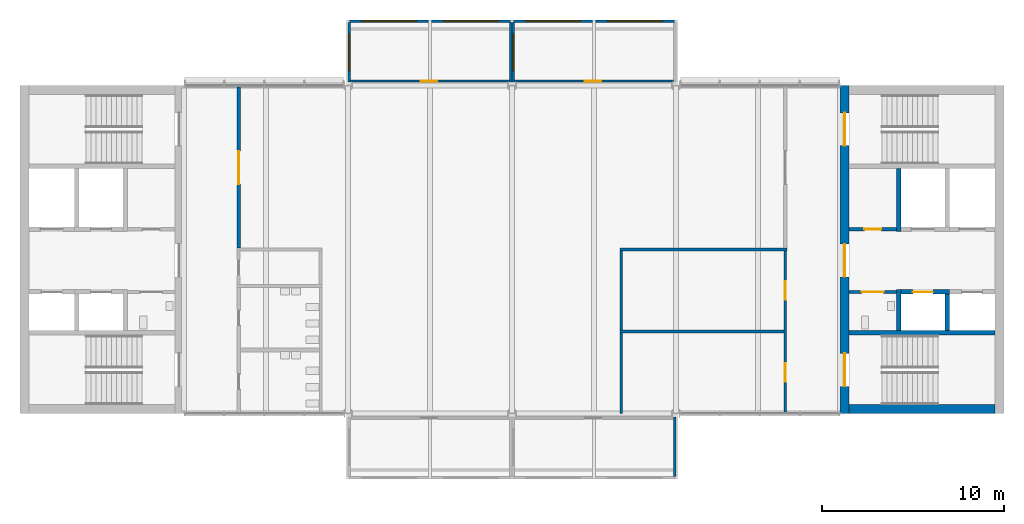
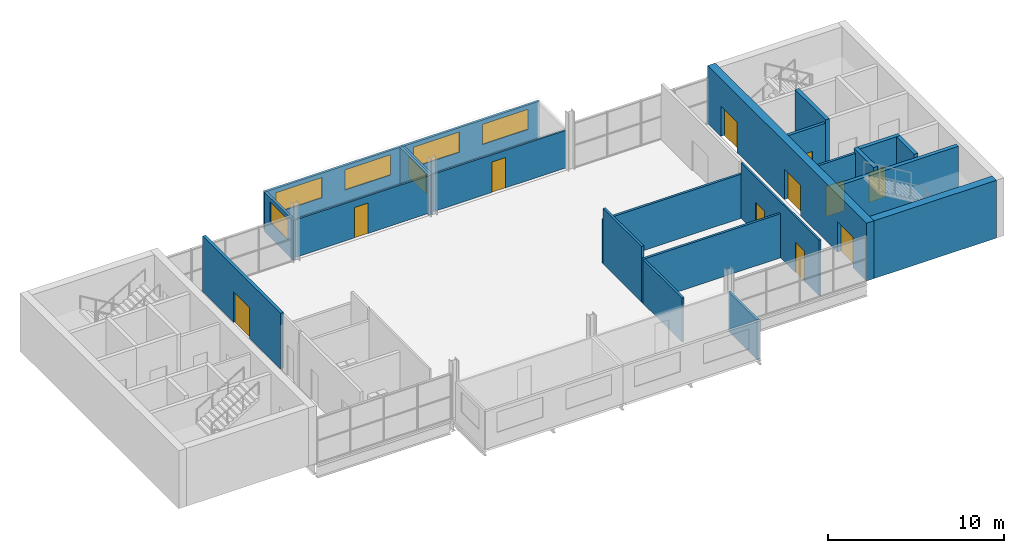
# One storey, part 6 of 10: 23 walls, 11 doors, 6 windows, 17 openings.
"""IFC4 building model written with IfcOpenShell, lengths in metres."""

from ifc_helpers import new_model, si_unit, direction, frame, frame_2d, origin, place, context, subcontext, project, spatial, rectangle, extrude, material, layer, layer_set, type_object, element, fill, save


model = new_model("IFC4")

# Units and contexts
model_context = context("Model", 3, precision=1e-05, world=origin(), true_north=direction((0.0, 1.0)))
body_context = subcontext(model_context, "Body", "Model", "MODEL_VIEW")
ifc_project = project(units=[si_unit("LENGTHUNIT", "METRE"), si_unit("AREAUNIT", "SQUARE_METRE"), si_unit("VOLUMEUNIT", "CUBIC_METRE"), si_unit("PLANEANGLEUNIT", "RADIAN"), si_unit("MASSUNIT", "GRAM", prefix="KILO")], contexts=[model_context])

# Site, building, storey
site_placement = place(None, origin())
site = spatial("IfcSite", under=ifc_project, at=site_placement, CompositionType="ELEMENT")
building_placement = place(site_placement, origin())
building = spatial("IfcBuilding", under=site, at=building_placement, Name="Corbel Yard City Hall", CompositionType="ELEMENT")
storey_placement = place(building_placement, frame((0.0, 0.0, 27.199951171875)))
storey = spatial("IfcBuildingStorey", under=building, at=storey_placement, Name="L06", CompositionType="ELEMENT", Elevation=27.199951171875)

# Walls
ifc_material_1 = material(Name="Concrete N40 (40 MPa)", Category="concrete")
ifc_layer_1 = layer(ifc_material_1, 0.25)
ifc_layer_set_1 = layer_set([ifc_layer_1], Name="Concrete N40 (40 MPa)")
wall_type_1 = type_object("IfcWallType", Name="IW2", PredefinedType="SOLIDWALL", material=ifc_layer_set_1)
wall_1_placement = place(storey_placement, frame((45.5, 103.425048828125, 0.0), z_axis=(0.0, 0.0, 1.0), x_axis=(1.0, 0.0, 0.0)))
element("IfcWall", 1, at=wall_1_placement, inside=storey, type_object=wall_type_1, Name="Stair enclosure wall", PredefinedType="SOLIDWALL", context=body_context, shape_type="SweptSolid", body=[
    extrude(rectangle(XDim=8.0, YDim=0.25, at=frame_2d((4.0, 0.0))), origin(), (0.0, 0.0, 1.0), 3.75),
])
wall_2_placement = place(storey_placement, frame((48.22509765625, 103.550048828125, 0.0), z_axis=(0.0, 0.0, 1.0), x_axis=(0.0, 1.0, 0.0)))
element("IfcWall", 2, at=wall_2_placement, inside=storey, type_object=wall_type_1, Name="Lift LP25 shaft wall", PredefinedType="SOLIDWALL", context=body_context, shape_type="SweptSolid", body=[
    extrude(rectangle(XDim=2.25, YDim=0.25, at=frame_2d((1.125, 0.0))), origin(), (0.0, 0.0, 1.0), 4.0),
])
wall_3_placement = place(storey_placement, frame((50.875, 103.550048828125, 0.0), z_axis=(0.0, 0.0, 1.0), x_axis=(0.0, 1.0, 0.0)))
element("IfcWall", 3, at=wall_3_placement, inside=storey, type_object=wall_type_1, Name="Lift LP25 shaft wall", PredefinedType="SOLIDWALL", context=body_context, shape_type="SweptSolid", body=[
    extrude(rectangle(XDim=2.0, YDim=0.25, at=frame_2d((1.0, 0.0))), origin(), (0.0, 0.0, 1.0), 4.0),
])

# Wall, opening, door
wall_4_placement = place(storey_placement, frame((48.35009765625, 105.675048828125, 0.0), z_axis=(0.0, 0.0, 1.0), x_axis=(1.0, 0.0, 0.0)))
wall_4 = element("IfcWall", 4, at=wall_4_placement, inside=storey, type_object=wall_type_1, Name="Lift LP25 shaft wall", PredefinedType="SOLIDWALL", context=body_context, shape_type="SweptSolid", body=[
    extrude(rectangle(XDim=2.64990234375, YDim=0.25, at=frame_2d((1.324951171875, 0.0))), origin(), (0.0, 0.0, 1.0), 4.0),
])
opening_1_placement = place(wall_4_placement, frame((0.64990234375, 0.0, 0.0)))
opening_1 = element("IfcOpeningElement", 5, at=opening_1_placement, cuts=wall_4, Name="Opening T1-009", PredefinedType="OPENING", context=body_context, shape_type="SweptSolid", body=[
    extrude(rectangle(XDim=1.10009765625, YDim=2.10009765625, at=frame_2d((0.550048828125, 1.050048828125))), frame((0.0, 0.135009765625, 0.0), z_axis=(0.0, -1.0, 0.0), x_axis=(1.0, 0.0, 0.0)), (0.0, 0.0, 1.0), 0.27001953125),
])
ifc_material_2 = material(Name="Stainless steel Grade 316", Category="steel")
door_type_1 = type_object("IfcDoorType", Name="LD1", OperationType="DOUBLE_DOOR_SLIDING", PredefinedType="DOOR", material=ifc_material_2)
door_1_placement = place(opening_1_placement, origin())
door_1 = element("IfcDoor", 6, at=door_1_placement, inside=storey, type_object=door_type_1, Name="Lift LP25 landing door", OperationType="DOUBLE_DOOR_SLIDING", OverallHeight=2.10009765625, OverallWidth=1.10009765625, PredefinedType="DOOR", context=body_context, shape_type="SweptSolid", body=[
    extrude(rectangle(XDim=1.10009765625, YDim=2.10009765625, at=frame_2d((0.550048828125, 1.050048828125))), frame((0.0, 0.02490234375, 0.0), z_axis=(0.0, -1.0, 0.0), x_axis=(1.0, 0.0, 0.0)), (0.0, 0.0, 1.0), 0.050048828125),
])
fill(opening_1, door_1)

# Wall
wall_5_placement = place(storey_placement, frame((48.22509765625, 109.0, 0.0), z_axis=(0.0, 0.0, 1.0), x_axis=(0.0, 1.0, 0.0)))
element("IfcWall", 7, at=wall_5_placement, inside=storey, type_object=wall_type_1, Name="Lift LF2 shaft wall", PredefinedType="SOLIDWALL", context=body_context, shape_type="SweptSolid", body=[
    extrude(rectangle(XDim=3.449951171875, YDim=0.25, at=frame_2d((1.72509765625, 0.0))), origin(), (0.0, 0.0, 1.0), 4.0),
])

# Wall, openings, windows
ifc_material_3 = material(Name="Anodised aluminium", Category="aluminium")
ifc_layer_2 = layer(ifc_material_3, 0.02392578125)
ifc_material_4 = material(Name="Steel Grade G550 (550 MPa yield)", Category="steel")
ifc_layer_3 = layer(ifc_material_4, 0.10009765625)
ifc_material_5 = material(Name="Gypsum plasterboard", Category="gypsum")
ifc_layer_4 = layer(ifc_material_5, 0.02587890625)
ifc_layer_set_2 = layer_set([ifc_layer_2, ifc_layer_3, ifc_layer_4], Name="Steel Grade G550 (550 MPa yield)")
wall_type_2 = type_object("IfcWallType", Name="PD1", PredefinedType="SOLIDWALL", material=ifc_layer_set_2)
wall_6_placement = place(storey_placement, frame((18.0, 120.52490234375, 0.0), z_axis=(0.0, 0.0, 1.0), x_axis=(1.0, 0.0, 0.0)))
wall_6 = element("IfcWall", 8, at=wall_6_placement, inside=storey, type_object=wall_type_2, Name="Pod outer wall L06", PredefinedType="SOLIDWALL", context=body_context, shape_type="SweptSolid", body=[
    extrude(rectangle(XDim=9.0, YDim=0.14990234375, at=frame_2d((4.5, 0.0))), origin(), (0.0, 0.0, 1.0), 2.60009765625),
])
opening_2_placement = place(wall_6_placement, frame((0.75, 0.0, 0.89990234375)))
opening_2 = element("IfcOpeningElement", 9, at=opening_2_placement, cuts=wall_6, Name="Opening WN5", PredefinedType="OPENING", context=body_context, shape_type="SweptSolid", body=[
    extrude(rectangle(XDim=3.0, YDim=1.39990234375, at=frame_2d((1.5, 0.699951171875))), frame((0.0, 0.0849609375, 0.0), z_axis=(0.0, -1.0, 0.0), x_axis=(1.0, 0.0, 0.0)), (0.0, 0.0, 1.0), 0.169921875),
])
opening_3_placement = place(wall_6_placement, frame((5.25, 0.0, 0.89990234375)))
opening_3 = element("IfcOpeningElement", 10, at=opening_3_placement, cuts=wall_6, Name="Opening WN5", PredefinedType="OPENING", context=body_context, shape_type="SweptSolid", body=[
    extrude(rectangle(XDim=3.0, YDim=1.39990234375, at=frame_2d((1.5, 0.699951171875))), frame((0.0, 0.0849609375, 0.0), z_axis=(0.0, -1.0, 0.0), x_axis=(1.0, 0.0, 0.0)), (0.0, 0.0, 1.0), 0.169921875),
])
ifc_material_6 = material(Name="Aluminium frame, double glazed low-e glass", Category="aluminium")
window_type_1 = type_object("IfcWindowType", Name="WN5", PartitioningType="SINGLE_PANEL", PredefinedType="WINDOW", material=ifc_material_6)
window_1_placement = place(opening_2_placement, origin())
window_1 = element("IfcWindow", 11, at=window_1_placement, inside=storey, type_object=window_type_1, Name="Window WN5 L06", OverallHeight=1.39990234375, OverallWidth=3.0, PartitioningType="SINGLE_PANEL", PredefinedType="WINDOW", context=body_context, shape_type="SweptSolid", body=[
    extrude(rectangle(XDim=3.0, YDim=1.39990234375, at=frame_2d((1.5, 0.699951171875))), frame((0.0, 0.030029296875, 0.0), z_axis=(0.0, -1.0, 0.0), x_axis=(1.0, 0.0, 0.0)), (0.0, 0.0, 1.0), 0.06005859375),
])
fill(opening_2, window_1)
window_2_placement = place(opening_3_placement, origin())
window_2 = element("IfcWindow", 12, at=window_2_placement, inside=storey, type_object=window_type_1, Name="Window WN5 L06", OverallHeight=1.39990234375, OverallWidth=3.0, PartitioningType="SINGLE_PANEL", PredefinedType="WINDOW", context=body_context, shape_type="SweptSolid", body=[
    extrude(rectangle(XDim=3.0, YDim=1.39990234375, at=frame_2d((1.5, 0.699951171875))), frame((0.0, 0.030029296875, 0.0), z_axis=(0.0, -1.0, 0.0), x_axis=(1.0, 0.0, 0.0)), (0.0, 0.0, 1.0), 0.06005859375),
])
fill(opening_3, window_2)

wall_7_placement = place(storey_placement, frame((27.0, 120.52490234375, 0.0), z_axis=(0.0, 0.0, 1.0), x_axis=(1.0, 0.0, 0.0)))
wall_7 = element("IfcWall", 13, at=wall_7_placement, inside=storey, type_object=wall_type_2, Name="Pod outer wall L06", PredefinedType="SOLIDWALL", context=body_context, shape_type="SweptSolid", body=[
    extrude(rectangle(XDim=9.0, YDim=0.14990234375, at=frame_2d((4.5, 0.0))), origin(), (0.0, 0.0, 1.0), 2.60009765625),
])
opening_4_placement = place(wall_7_placement, frame((0.75, 0.0, 0.89990234375)))
opening_4 = element("IfcOpeningElement", 14, at=opening_4_placement, cuts=wall_7, Name="Opening WN5", PredefinedType="OPENING", context=body_context, shape_type="SweptSolid", body=[
    extrude(rectangle(XDim=3.0, YDim=1.39990234375, at=frame_2d((1.5, 0.699951171875))), frame((0.0, 0.0849609375, 0.0), z_axis=(0.0, -1.0, 0.0), x_axis=(1.0, 0.0, 0.0)), (0.0, 0.0, 1.0), 0.169921875),
])
opening_5_placement = place(wall_7_placement, frame((5.25, 0.0, 0.89990234375)))
opening_5 = element("IfcOpeningElement", 15, at=opening_5_placement, cuts=wall_7, Name="Opening WN5", PredefinedType="OPENING", context=body_context, shape_type="SweptSolid", body=[
    extrude(rectangle(XDim=3.0, YDim=1.39990234375, at=frame_2d((1.5, 0.699951171875))), frame((0.0, 0.0849609375, 0.0), z_axis=(0.0, -1.0, 0.0), x_axis=(1.0, 0.0, 0.0)), (0.0, 0.0, 1.0), 0.169921875),
])
window_3_placement = place(opening_4_placement, origin())
window_3 = element("IfcWindow", 16, at=window_3_placement, inside=storey, type_object=window_type_1, Name="Window WN5 L06", OverallHeight=1.39990234375, OverallWidth=3.0, PartitioningType="SINGLE_PANEL", PredefinedType="WINDOW", context=body_context, shape_type="SweptSolid", body=[
    extrude(rectangle(XDim=3.0, YDim=1.39990234375, at=frame_2d((1.5, 0.699951171875))), frame((0.0, 0.030029296875, 0.0), z_axis=(0.0, -1.0, 0.0), x_axis=(1.0, 0.0, 0.0)), (0.0, 0.0, 1.0), 0.06005859375),
])
fill(opening_4, window_3)
window_4_placement = place(opening_5_placement, origin())
window_4 = element("IfcWindow", 17, at=window_4_placement, inside=storey, type_object=window_type_1, Name="Window WN5 L06", OverallHeight=1.39990234375, OverallWidth=3.0, PartitioningType="SINGLE_PANEL", PredefinedType="WINDOW", context=body_context, shape_type="SweptSolid", body=[
    extrude(rectangle(XDim=3.0, YDim=1.39990234375, at=frame_2d((1.5, 0.699951171875))), frame((0.0, 0.030029296875, 0.0), z_axis=(0.0, -1.0, 0.0), x_axis=(1.0, 0.0, 0.0)), (0.0, 0.0, 1.0), 0.06005859375),
])
fill(opening_5, window_4)

# Wall, opening, door
ifc_layer_5 = layer(ifc_material_5, 0.01806640625)
ifc_layer_6 = layer(ifc_material_4, 0.06396484375)
ifc_layer_7 = layer(ifc_material_5, 0.01806640625)
ifc_layer_set_3 = layer_set([ifc_layer_5, ifc_layer_6, ifc_layer_7], Name="Steel Grade G550 (550 MPa yield)")
wall_type_3 = type_object("IfcWallType", Name="PD2", PredefinedType="PARTITIONING", material=ifc_layer_set_3)
wall_8_placement = place(storey_placement, frame((18.14990234375, 117.25, 0.0), z_axis=(0.0, 0.0, 1.0), x_axis=(1.0, 0.0, 0.0)))
wall_8 = element("IfcWall", 18, at=wall_8_placement, inside=storey, type_object=wall_type_3, Name="Pod inner wall L06", PredefinedType="PARTITIONING", context=body_context, shape_type="SweptSolid", body=[
    extrude(rectangle(XDim=8.7001953125, YDim=0.10009765625, at=frame_2d((4.35009765625, 0.0))), origin(), (0.0, 0.0, 1.0), 2.60009765625),
])
opening_6_placement = place(wall_8_placement, frame((3.85009765625, 0.0, 0.0)))
opening_6 = element("IfcOpeningElement", 19, at=opening_6_placement, cuts=wall_8, Name="Opening T1-003", PredefinedType="OPENING", context=body_context, shape_type="SweptSolid", body=[
    extrude(rectangle(XDim=0.89990234375, YDim=2.10009765625, at=frame_2d((0.449951171875, 1.050048828125))), frame((0.0, 0.06005859375, 0.0), z_axis=(0.0, -1.0, 0.0), x_axis=(1.0, 0.0, 0.0)), (0.0, 0.0, 1.0), 0.1201171875),
])
ifc_material_7 = material(Name="Timber, solid core", Category="wood")
door_type_2 = type_object("IfcDoorType", Name="XD6", OperationType="SINGLE_SWING_LEFT", PredefinedType="DOOR", material=ifc_material_7)
door_2_placement = place(opening_6_placement, origin())
door_2 = element("IfcDoor", 20, at=door_2_placement, inside=storey, type_object=door_type_2, Name="Pod door L06", OperationType="SINGLE_SWING_LEFT", OverallHeight=2.10009765625, OverallWidth=0.89990234375, PredefinedType="DOOR", context=body_context, shape_type="SweptSolid", body=[
    extrude(rectangle(XDim=0.89990234375, YDim=2.10009765625, at=frame_2d((0.449951171875, 1.050048828125))), frame((0.0, 0.02490234375, 0.0), z_axis=(0.0, -1.0, 0.0), x_axis=(1.0, 0.0, 0.0)), (0.0, 0.0, 1.0), 0.050048828125),
])
fill(opening_6, door_2)

wall_9_placement = place(storey_placement, frame((27.14990234375, 117.25, 0.0), z_axis=(0.0, 0.0, 1.0), x_axis=(1.0, 0.0, 0.0)))
wall_9 = element("IfcWall", 21, at=wall_9_placement, inside=storey, type_object=wall_type_3, Name="Pod inner wall L06", PredefinedType="PARTITIONING", context=body_context, shape_type="SweptSolid", body=[
    extrude(rectangle(XDim=8.7001953125, YDim=0.10009765625, at=frame_2d((4.35009765625, 0.0))), origin(), (0.0, 0.0, 1.0), 2.60009765625),
])
opening_7_placement = place(wall_9_placement, frame((3.85009765625, 0.0, 0.0)))
opening_7 = element("IfcOpeningElement", 22, at=opening_7_placement, cuts=wall_9, Name="Opening T1-004", PredefinedType="OPENING", context=body_context, shape_type="SweptSolid", body=[
    extrude(rectangle(XDim=0.89990234375, YDim=2.10009765625, at=frame_2d((0.449951171875, 1.050048828125))), frame((0.0, 0.06005859375, 0.0), z_axis=(0.0, -1.0, 0.0), x_axis=(1.0, 0.0, 0.0)), (0.0, 0.0, 1.0), 0.1201171875),
])
door_3_placement = place(opening_7_placement, origin())
door_3 = element("IfcDoor", 23, at=door_3_placement, inside=storey, type_object=door_type_2, Name="Pod door L06", OperationType="SINGLE_SWING_LEFT", OverallHeight=2.10009765625, OverallWidth=0.89990234375, PredefinedType="DOOR", context=body_context, shape_type="SweptSolid", body=[
    extrude(rectangle(XDim=0.89990234375, YDim=2.10009765625, at=frame_2d((0.449951171875, 1.050048828125))), frame((0.0, 0.02490234375, 0.0), z_axis=(0.0, -1.0, 0.0), x_axis=(1.0, 0.0, 0.0)), (0.0, 0.0, 1.0), 0.050048828125),
])
fill(opening_7, door_3)

# Wall
ifc_layer_8 = layer(ifc_material_3, 0.02392578125)
ifc_layer_9 = layer(ifc_material_4, 0.10009765625)
ifc_layer_10 = layer(ifc_material_5, 0.02587890625)
ifc_layer_set_4 = layer_set([ifc_layer_8, ifc_layer_9, ifc_layer_10], Name="Steel Grade G550 (550 MPa yield)")
wall_type_4 = type_object("IfcWallType", Name="PD3", PredefinedType="SOLIDWALL", material=ifc_layer_set_4)
wall_10_placement = place(storey_placement, frame((35.925048828125, 95.550048828125, -0.14990234375), z_axis=(0.0, 0.0, 1.0), x_axis=(0.0, 1.0, 0.0)))
element("IfcWall", 24, at=wall_10_placement, inside=storey, type_object=wall_type_4, Name="Pod side wall L06", PredefinedType="SOLIDWALL", context=body_context, shape_type="SweptSolid", body=[
    extrude(rectangle(XDim=3.25, YDim=0.14990234375, at=frame_2d((1.625, 0.0))), origin(), (0.0, 0.0, 1.0), 2.75),
])

# Wall, opening, window
wall_11_placement = place(storey_placement, frame((18.074951171875, 120.449951171875, -0.14990234375), z_axis=(0.0, 0.0, 1.0), x_axis=(0.0, -1.0, 0.0)))
wall_11 = element("IfcWall", 25, at=wall_11_placement, inside=storey, type_object=wall_type_4, Name="Pod side wall L06", PredefinedType="SOLIDWALL", context=body_context, shape_type="SweptSolid", body=[
    extrude(rectangle(XDim=3.25, YDim=0.14990234375, at=frame_2d((1.625, 0.0))), origin(), (0.0, 0.0, 1.0), 2.75),
])
opening_8_placement = place(wall_11_placement, frame((0.625, 0.0, 1.050048828125)))
opening_8 = element("IfcOpeningElement", 26, at=opening_8_placement, cuts=wall_11, Name="Opening WN6", PredefinedType="OPENING", context=body_context, shape_type="SweptSolid", body=[
    extrude(rectangle(XDim=2.0, YDim=1.39990234375, at=frame_2d((1.0, 0.699951171875))), frame((0.0, 0.0849609375, 0.0), z_axis=(0.0, -1.0, 0.0), x_axis=(1.0, 0.0, 0.0)), (0.0, 0.0, 1.0), 0.169921875),
])
window_type_2 = type_object("IfcWindowType", Name="WN6", PartitioningType="SINGLE_PANEL", PredefinedType="WINDOW", material=ifc_material_6)
window_5_placement = place(opening_8_placement, origin())
window_5 = element("IfcWindow", 27, at=window_5_placement, inside=storey, type_object=window_type_2, Name="Window WN6 L06", OverallHeight=1.39990234375, OverallWidth=2.0, PartitioningType="SINGLE_PANEL", PredefinedType="WINDOW", context=body_context, shape_type="SweptSolid", body=[
    extrude(rectangle(XDim=2.0, YDim=1.39990234375, at=frame_2d((1.0, 0.699951171875))), frame((0.0, 0.030029296875, 0.0), z_axis=(0.0, -1.0, 0.0), x_axis=(1.0, 0.0, 0.0)), (0.0, 0.0, 1.0), 0.06005859375),
])
fill(opening_8, window_5)

# Wall
wall_12_placement = place(storey_placement, frame((26.925048828125, 120.449951171875, -0.14990234375), z_axis=(0.0, 0.0, 1.0), x_axis=(0.0, -1.0, 0.0)))
element("IfcWall", 28, at=wall_12_placement, inside=storey, type_object=wall_type_4, Name="Pod side wall L06", PredefinedType="SOLIDWALL", context=body_context, shape_type="SweptSolid", body=[
    extrude(rectangle(XDim=3.25, YDim=0.14990234375, at=frame_2d((1.625, 0.0))), origin(), (0.0, 0.0, 1.0), 2.75),
])

# Wall, opening, window
wall_13_placement = place(storey_placement, frame((27.074951171875, 120.449951171875, -0.14990234375), z_axis=(0.0, 0.0, 1.0), x_axis=(0.0, -1.0, 0.0)))
wall_13 = element("IfcWall", 29, at=wall_13_placement, inside=storey, type_object=wall_type_4, Name="Pod side wall L06", PredefinedType="SOLIDWALL", context=body_context, shape_type="SweptSolid", body=[
    extrude(rectangle(XDim=3.25, YDim=0.14990234375, at=frame_2d((1.625, 0.0))), origin(), (0.0, 0.0, 1.0), 2.75),
])
opening_9_placement = place(wall_13_placement, frame((0.625, 0.0, 1.050048828125)))
opening_9 = element("IfcOpeningElement", 30, at=opening_9_placement, cuts=wall_13, Name="Opening WN6", PredefinedType="OPENING", context=body_context, shape_type="SweptSolid", body=[
    extrude(rectangle(XDim=2.0, YDim=1.39990234375, at=frame_2d((1.0, 0.699951171875))), frame((0.0, 0.0849609375, 0.0), z_axis=(0.0, -1.0, 0.0), x_axis=(1.0, 0.0, 0.0)), (0.0, 0.0, 1.0), 0.169921875),
])
window_6_placement = place(opening_9_placement, origin())
window_6 = element("IfcWindow", 31, at=window_6_placement, inside=storey, type_object=window_type_2, Name="Window WN6 L06", OverallHeight=1.39990234375, OverallWidth=2.0, PartitioningType="SINGLE_PANEL", PredefinedType="WINDOW", context=body_context, shape_type="SweptSolid", body=[
    extrude(rectangle(XDim=2.0, YDim=1.39990234375, at=frame_2d((1.0, 0.699951171875))), frame((0.0, 0.030029296875, 0.0), z_axis=(0.0, -1.0, 0.0), x_axis=(1.0, 0.0, 0.0)), (0.0, 0.0, 1.0), 0.06005859375),
])
fill(opening_9, window_6)

# Wall, opening, door
ifc_layer_11 = layer(ifc_material_5, 0.031982421875)
ifc_layer_12 = layer(ifc_material_4, 0.135986328125)
ifc_layer_13 = layer(ifc_material_5, 0.031982421875)
ifc_layer_set_5 = layer_set([ifc_layer_11, ifc_layer_12, ifc_layer_13], Name="Steel Grade G550 (550 MPa yield)")
wall_type_5 = type_object("IfcWallType", Name="PT2", PredefinedType="PARTITIONING", material=ifc_layer_set_5)
wall_14_placement = place(storey_placement, frame((12.0, 108.080078125, 0.0), z_axis=(0.0, 0.0, 1.0), x_axis=(0.0, 1.0, 0.0)))
wall_14 = element("IfcWall", 32, at=wall_14_placement, inside=storey, type_object=wall_type_5, Name="Acoustic wall", PredefinedType="PARTITIONING", context=body_context, shape_type="SweptSolid", body=[
    extrude(rectangle(XDim=8.829833984375, YDim=0.199951171875, at=frame_2d((4.4150390625, 0.0))), origin(), (0.0, 0.0, 1.0), 3.85009765625),
])
opening_10_placement = place(wall_14_placement, frame((3.52001953125, 0.0, 0.0)))
opening_10 = element("IfcOpeningElement", 33, at=opening_10_placement, cuts=wall_14, Name="Opening T1-016", PredefinedType="OPENING", context=body_context, shape_type="SweptSolid", body=[
    extrude(rectangle(XDim=1.800048828125, YDim=2.10009765625, at=frame_2d((0.89990234375, 1.050048828125))), frame((0.0, 0.10986328125, 0.0), z_axis=(0.0, -1.0, 0.0), x_axis=(1.0, 0.0, 0.0)), (0.0, 0.0, 1.0), 0.219970703125),
])
ifc_material_8 = material(Name="Timber", Category="wood")
door_type_3 = type_object("IfcDoorType", Name="D3", OperationType="DOUBLE_DOOR_SINGLE_SWING", PredefinedType="DOOR", material=ifc_material_8)
door_4_placement = place(opening_10_placement, origin())
door_4 = element("IfcDoor", 34, at=door_4_placement, inside=storey, type_object=door_type_3, Name="Door Open Office 0606", OperationType="DOUBLE_DOOR_SINGLE_SWING", OverallHeight=2.10009765625, OverallWidth=1.800048828125, PredefinedType="DOOR", context=body_context, shape_type="SweptSolid", body=[
    extrude(rectangle(XDim=1.800048828125, YDim=2.10009765625, at=frame_2d((0.89990234375, 1.050048828125))), frame((0.0, 0.02490234375, 0.0), z_axis=(0.0, -1.0, 0.0), x_axis=(1.0, 0.0, 0.0)), (0.0, 0.0, 1.0), 0.050048828125),
])
fill(opening_10, door_4)

ifc_layer_14 = layer(ifc_material_5, 0.031982421875)
ifc_layer_15 = layer(ifc_material_4, 0.095947265625)
ifc_layer_16 = layer(ifc_material_5, 0.031982421875)
ifc_layer_set_6 = layer_set([ifc_layer_14, ifc_layer_15, ifc_layer_16], Name="Steel Grade G550 (550 MPa yield)")
wall_type_6 = type_object("IfcWallType", Name="PT3", PredefinedType="PARTITIONING", material=ifc_layer_set_6)
wall_15_placement = place(storey_placement, frame((45.5, 105.675048828125, 0.0), z_axis=(0.0, 0.0, 1.0), x_axis=(1.0, 0.0, 0.0)))
wall_15 = element("IfcWall", 35, at=wall_15_placement, inside=storey, type_object=wall_type_6, Name="Accessible WC wall", PredefinedType="PARTITIONING", context=body_context, shape_type="SweptSolid", body=[
    extrude(rectangle(XDim=2.60009765625, YDim=0.159912109375, at=frame_2d((1.300048828125, 0.0))), origin(), (0.0, 0.0, 1.0), 3.75),
])
opening_11_placement = place(wall_15_placement, frame((0.699951171875, 0.0, 0.0)))
opening_11 = element("IfcOpeningElement", 36, at=opening_11_placement, cuts=wall_15, Name="Opening T1-028", PredefinedType="OPENING", context=body_context, shape_type="SweptSolid", body=[
    extrude(rectangle(XDim=1.199951171875, YDim=2.10009765625, at=frame_2d((0.60009765625, 1.050048828125))), frame((0.0, 0.08984375, 0.0), z_axis=(0.0, -1.0, 0.0), x_axis=(1.0, 0.0, 0.0)), (0.0, 0.0, 1.0), 0.179931640625),
])
ifc_material_9 = material(Name="Steel Grade G250", Category="steel")
door_type_4 = type_object("IfcDoorType", Name="FD7", OperationType="SINGLE_SWING_LEFT", PredefinedType="DOOR", material=ifc_material_9)
door_5_placement = place(opening_11_placement, frame((1.199951171875, 0.0, 0.0), z_axis=(0.0, 0.0, 1.0), x_axis=(-1.0, 0.0, 0.0)))
door_5 = element("IfcDoor", 37, at=door_5_placement, inside=storey, type_object=door_type_4, Name="Door accessible WC East", OperationType="SINGLE_SWING_RIGHT", OverallHeight=2.10009765625, OverallWidth=1.199951171875, PredefinedType="DOOR", context=body_context, shape_type="SweptSolid", body=[
    extrude(rectangle(XDim=1.199951171875, YDim=2.10009765625, at=frame_2d((0.60009765625, 1.050048828125))), frame((0.0, 0.02490234375, 0.0), z_axis=(0.0, -1.0, 0.0), x_axis=(1.0, 0.0, 0.0)), (0.0, 0.0, 1.0), 0.050048828125),
])
fill(opening_11, door_5)

ifc_material_10 = material(Name="Concrete block", Category="concrete")
ifc_layer_17 = layer(ifc_material_10, 0.18994140625)
ifc_layer_set_7 = layer_set([ifc_layer_17], Name="Concrete block")
wall_type_7 = type_object("IfcWallType", Name="PT4", PredefinedType="PARTITIONING", material=ifc_layer_set_7)
wall_16_placement = place(storey_placement, frame((45.5, 109.125, 0.0), z_axis=(0.0, 0.0, 1.0), x_axis=(1.0, 0.0, 0.0)))
wall_16 = element("IfcWall", 38, at=wall_16_placement, inside=storey, type_object=wall_type_7, Name="Riser wall", PredefinedType="PARTITIONING", context=body_context, shape_type="SweptSolid", body=[
    extrude(rectangle(XDim=2.60009765625, YDim=0.18994140625, at=frame_2d((1.300048828125, 0.0))), origin(), (0.0, 0.0, 1.0), 3.75),
])
opening_12_placement = place(wall_16_placement, frame((0.840087890625, 0.0, 0.0)))
opening_12 = element("IfcOpeningElement", 39, at=opening_12_placement, cuts=wall_16, Name="Opening T1-029", PredefinedType="OPENING", context=body_context, shape_type="SweptSolid", body=[
    extrude(rectangle(XDim=0.919921875, YDim=2.10009765625, at=frame_2d((0.4599609375, 1.050048828125))), frame((0.0, 0.10498046875, 0.0), z_axis=(0.0, -1.0, 0.0), x_axis=(1.0, 0.0, 0.0)), (0.0, 0.0, 1.0), 0.2099609375),
])
door_type_5 = type_object("IfcDoorType", Name="FS4", OperationType="SINGLE_SWING_LEFT", PredefinedType="DOOR", material=ifc_material_9)
door_6_placement = place(opening_12_placement, origin())
door_6 = element("IfcDoor", 40, at=door_6_placement, inside=storey, type_object=door_type_5, Name="Door riser East", OperationType="SINGLE_SWING_LEFT", OverallHeight=2.10009765625, OverallWidth=0.919921875, PredefinedType="DOOR", context=body_context, shape_type="SweptSolid", body=[
    extrude(rectangle(XDim=0.919921875, YDim=2.10009765625, at=frame_2d((0.4599609375, 1.050048828125))), frame((0.0, 0.02490234375, 0.0), z_axis=(0.0, -1.0, 0.0), x_axis=(1.0, 0.0, 0.0)), (0.0, 0.0, 1.0), 0.050048828125),
])
fill(opening_12, door_6)

# Wall, openings, doors
ifc_material_11 = material(Name="Glass", Category="glass")
ifc_layer_18 = layer(ifc_material_11, 0.1201171875)
ifc_layer_set_8 = layer_set([ifc_layer_18], Name="Glass")
wall_type_8 = type_object("IfcWallType", Name="PT41", PredefinedType="PARTITIONING", material=ifc_layer_set_8)
wall_17_placement = place(storey_placement, frame((42.0, 99.074951171875, 0.0), z_axis=(0.0, 0.0, 1.0), x_axis=(0.0, 1.0, 0.0)))
wall_17 = element("IfcWall", 41, at=wall_17_placement, inside=storey, type_object=wall_type_8, Name="Glazed partition", PredefinedType="PARTITIONING", context=body_context, shape_type="SweptSolid", body=[
    extrude(rectangle(XDim=8.85009765625, YDim=0.1201171875, at=frame_2d((4.425048828125, 0.0))), origin(), (0.0, 0.0, 1.0), 3.85009765625),
])
opening_13_placement = place(wall_17_placement, frame((1.675048828125, 0.0, 0.0)))
opening_13 = element("IfcOpeningElement", 42, at=opening_13_placement, cuts=wall_17, Name="Opening T1-018", PredefinedType="OPENING", context=body_context, shape_type="SweptSolid", body=[
    extrude(rectangle(XDim=1.0, YDim=2.10009765625, at=frame_2d((0.5, 1.050048828125))), frame((0.0, 0.070068359375, 0.0), z_axis=(0.0, -1.0, 0.0), x_axis=(1.0, 0.0, 0.0)), (0.0, 0.0, 1.0), 0.14013671875),
])
opening_14_placement = place(wall_17_placement, frame((6.175048828125, 0.0, 0.0)))
opening_14 = element("IfcOpeningElement", 43, at=opening_14_placement, cuts=wall_17, Name="Opening T1-019", PredefinedType="OPENING", context=body_context, shape_type="SweptSolid", body=[
    extrude(rectangle(XDim=1.0, YDim=2.10009765625, at=frame_2d((0.5, 1.050048828125))), frame((0.0, 0.070068359375, 0.0), z_axis=(0.0, -1.0, 0.0), x_axis=(1.0, 0.0, 0.0)), (0.0, 0.0, 1.0), 0.14013671875),
])
door_type_6 = type_object("IfcDoorType", Name="D1", OperationType="SINGLE_SWING_LEFT", PredefinedType="DOOR", material=ifc_material_8)
door_7_placement = place(opening_13_placement, origin())
door_7 = element("IfcDoor", 44, at=door_7_placement, inside=storey, type_object=door_type_6, Name="Door Meeting Room 0607", OperationType="SINGLE_SWING_RIGHT", OverallHeight=2.10009765625, OverallWidth=1.0, PredefinedType="DOOR", context=body_context, shape_type="SweptSolid", body=[
    extrude(rectangle(XDim=1.0, YDim=2.10009765625, at=frame_2d((0.5, 1.050048828125))), frame((0.0, 0.02490234375, 0.0), z_axis=(0.0, -1.0, 0.0), x_axis=(1.0, 0.0, 0.0)), (0.0, 0.0, 1.0), 0.050048828125),
])
fill(opening_13, door_7)
door_8_placement = place(opening_14_placement, origin())
door_8 = element("IfcDoor", 45, at=door_8_placement, inside=storey, type_object=door_type_6, Name="Door Meeting Room 0608", OperationType="SINGLE_SWING_LEFT", OverallHeight=2.10009765625, OverallWidth=1.0, PredefinedType="DOOR", context=body_context, shape_type="SweptSolid", body=[
    extrude(rectangle(XDim=1.0, YDim=2.10009765625, at=frame_2d((0.5, 1.050048828125))), frame((0.0, 0.02490234375, 0.0), z_axis=(0.0, -1.0, 0.0), x_axis=(1.0, 0.0, 0.0)), (0.0, 0.0, 1.0), 0.050048828125),
])
fill(opening_14, door_8)

# Walls
ifc_layer_19 = layer(ifc_material_5, 0.031982421875)
ifc_layer_20 = layer(ifc_material_4, 0.0859375)
ifc_layer_21 = layer(ifc_material_5, 0.031982421875)
ifc_layer_set_9 = layer_set([ifc_layer_19, ifc_layer_20, ifc_layer_21], Name="Steel Grade G550 (550 MPa yield)")
wall_type_9 = type_object("IfcWallType", Name="PT7", PredefinedType="PARTITIONING", material=ifc_layer_set_9)
wall_18_placement = place(storey_placement, frame((32.925048828125, 103.5, 0.0), z_axis=(0.0, 0.0, 1.0), x_axis=(1.0, 0.0, 0.0)))
element("IfcWall", 46, at=wall_18_placement, inside=storey, type_object=wall_type_9, Name="Suite partition", PredefinedType="PARTITIONING", context=body_context, shape_type="SweptSolid", body=[
    extrude(rectangle(XDim=9.014892578125, YDim=0.14990234375, at=frame_2d((4.50732421875, 0.0))), origin(), (0.0, 0.0, 1.0), 3.050048828125),
])
wall_19_placement = place(storey_placement, frame((32.925048828125, 108.0, 0.0), z_axis=(0.0, 0.0, 1.0), x_axis=(1.0, 0.0, 0.0)))
element("IfcWall", 47, at=wall_19_placement, inside=storey, type_object=wall_type_9, Name="Suite partition", PredefinedType="PARTITIONING", context=body_context, shape_type="SweptSolid", body=[
    extrude(rectangle(XDim=9.175048828125, YDim=0.14990234375, at=frame_2d((4.58740234375, 0.0))), origin(), (0.0, 0.0, 1.0), 3.050048828125),
])
wall_20_placement = place(storey_placement, frame((33.0, 99.0, 0.0), z_axis=(0.0, 0.0, 1.0), x_axis=(0.0, 1.0, 0.0)))
element("IfcWall", 48, at=wall_20_placement, inside=storey, type_object=wall_type_9, Name="Suite partition", PredefinedType="PARTITIONING", context=body_context, shape_type="SweptSolid", body=[
    extrude(rectangle(XDim=4.425048828125, YDim=0.14990234375, at=frame_2d((2.21240234375, 0.0))), origin(), (0.0, 0.0, 1.0), 3.0400390625),
])
wall_21_placement = place(storey_placement, frame((33.0, 103.574951171875, 0.0), z_axis=(0.0, 0.0, 1.0), x_axis=(0.0, 1.0, 0.0)))
element("IfcWall", 49, at=wall_21_placement, inside=storey, type_object=wall_type_9, Name="Suite partition", PredefinedType="PARTITIONING", context=body_context, shape_type="SweptSolid", body=[
    extrude(rectangle(XDim=4.35009765625, YDim=0.14990234375, at=frame_2d((2.175048828125, 0.0))), origin(), (0.0, 0.0, 1.0), 3.85009765625),
])

# Wall, openings, doors
ifc_material_12 = material(Name="Concrete N50 (50 MPa)", Category="concrete")
ifc_layer_22 = layer(ifc_material_12, 0.5)
ifc_layer_set_10 = layer_set([ifc_layer_22], Name="Concrete N50 (50 MPa)")
wall_type_10 = type_object("IfcWallType", Name="Trunk wall 500", PredefinedType="SHEAR", material=ifc_layer_set_10)
wall_22_placement = place(storey_placement, frame((45.25, 99.0, 0.0), z_axis=(0.0, 0.0, 1.0), x_axis=(0.0, 1.0, 0.0)))
wall_22 = element("IfcWall", 50, at=wall_22_placement, inside=storey, type_object=wall_type_10, Name="Trunk E west wall", PredefinedType="SHEAR", context=body_context, shape_type="SweptSolid", body=[
    extrude(rectangle(XDim=18.0, YDim=0.5, at=frame_2d((9.0, 0.0))), origin(), (0.0, 0.0, 1.0), 4.0),
])
opening_15_placement = place(wall_22_placement, frame((1.5, 0.0, 0.0)))
opening_15 = element("IfcOpeningElement", 51, at=opening_15_placement, cuts=wall_22, Name="Opening T1-025", PredefinedType="OPENING", context=body_context, shape_type="SweptSolid", body=[
    extrude(rectangle(XDim=1.800048828125, YDim=2.10009765625, at=frame_2d((0.89990234375, 1.050048828125))), frame((0.0, 0.260009765625, 0.0), z_axis=(0.0, -1.0, 0.0), x_axis=(1.0, 0.0, 0.0)), (0.0, 0.0, 1.0), 0.52001953125),
])
opening_16_placement = place(wall_22_placement, frame((14.699951171875, 0.0, 0.0)))
opening_16 = element("IfcOpeningElement", 52, at=opening_16_placement, cuts=wall_22, Name="Opening T1-026", PredefinedType="OPENING", context=body_context, shape_type="SweptSolid", body=[
    extrude(rectangle(XDim=1.800048828125, YDim=2.10009765625, at=frame_2d((0.89990234375, 1.050048828125))), frame((0.0, 0.260009765625, 0.0), z_axis=(0.0, -1.0, 0.0), x_axis=(1.0, 0.0, 0.0)), (0.0, 0.0, 1.0), 0.52001953125),
])
opening_17_placement = place(wall_22_placement, frame((7.5, 0.0, 0.0)))
opening_17 = element("IfcOpeningElement", 53, at=opening_17_placement, cuts=wall_22, Name="Opening T1-027", PredefinedType="OPENING", context=body_context, shape_type="SweptSolid", body=[
    extrude(rectangle(XDim=1.800048828125, YDim=2.10009765625, at=frame_2d((0.89990234375, 1.050048828125))), frame((0.0, 0.260009765625, 0.0), z_axis=(0.0, -1.0, 0.0), x_axis=(1.0, 0.0, 0.0)), (0.0, 0.0, 1.0), 0.52001953125),
])
door_type_7 = type_object("IfcDoorType", Name="FS3", OperationType="DOUBLE_DOOR_SINGLE_SWING", PredefinedType="DOOR", material=ifc_material_9)
door_9_placement = place(opening_15_placement, origin())
door_9 = element("IfcDoor", 54, at=door_9_placement, inside=storey, type_object=door_type_7, Name="Door ST-E1", OperationType="DOUBLE_DOOR_SINGLE_SWING", OverallHeight=2.10009765625, OverallWidth=1.800048828125, PredefinedType="DOOR", context=body_context, shape_type="SweptSolid", body=[
    extrude(rectangle(XDim=1.800048828125, YDim=2.10009765625, at=frame_2d((0.89990234375, 1.050048828125))), frame((0.0, 0.02490234375, 0.0), z_axis=(0.0, -1.0, 0.0), x_axis=(1.0, 0.0, 0.0)), (0.0, 0.0, 1.0), 0.050048828125),
])
fill(opening_15, door_9)
door_10_placement = place(opening_16_placement, origin())
door_10 = element("IfcDoor", 55, at=door_10_placement, inside=storey, type_object=door_type_7, Name="Door ST-E2", OperationType="DOUBLE_DOOR_SINGLE_SWING", OverallHeight=2.10009765625, OverallWidth=1.800048828125, PredefinedType="DOOR", context=body_context, shape_type="SweptSolid", body=[
    extrude(rectangle(XDim=1.800048828125, YDim=2.10009765625, at=frame_2d((0.89990234375, 1.050048828125))), frame((0.0, 0.02490234375, 0.0), z_axis=(0.0, -1.0, 0.0), x_axis=(1.0, 0.0, 0.0)), (0.0, 0.0, 1.0), 0.050048828125),
])
fill(opening_16, door_10)
door_11_placement = place(opening_17_placement, origin())
door_11 = element("IfcDoor", 56, at=door_11_placement, inside=storey, type_object=door_type_7, Name="Door lift lobby East", OperationType="DOUBLE_DOOR_SINGLE_SWING", OverallHeight=2.10009765625, OverallWidth=1.800048828125, PredefinedType="DOOR", context=body_context, shape_type="SweptSolid", body=[
    extrude(rectangle(XDim=1.800048828125, YDim=2.10009765625, at=frame_2d((0.89990234375, 1.050048828125))), frame((0.0, 0.02490234375, 0.0), z_axis=(0.0, -1.0, 0.0), x_axis=(1.0, 0.0, 0.0)), (0.0, 0.0, 1.0), 0.050048828125),
])
fill(opening_17, door_11)

# Wall
wall_23_placement = place(storey_placement, frame((45.5, 99.25, 0.0), z_axis=(0.0, 0.0, 1.0), x_axis=(1.0, 0.0, 0.0)))
element("IfcWall", 57, at=wall_23_placement, inside=storey, type_object=wall_type_10, Name="Trunk E south wall", PredefinedType="SHEAR", context=body_context, shape_type="SweptSolid", body=[
    extrude(rectangle(XDim=8.0, YDim=0.5, at=frame_2d((4.0, 0.0))), origin(), (0.0, 0.0, 1.0), 4.0),
])

save(model, "model.ifc")
